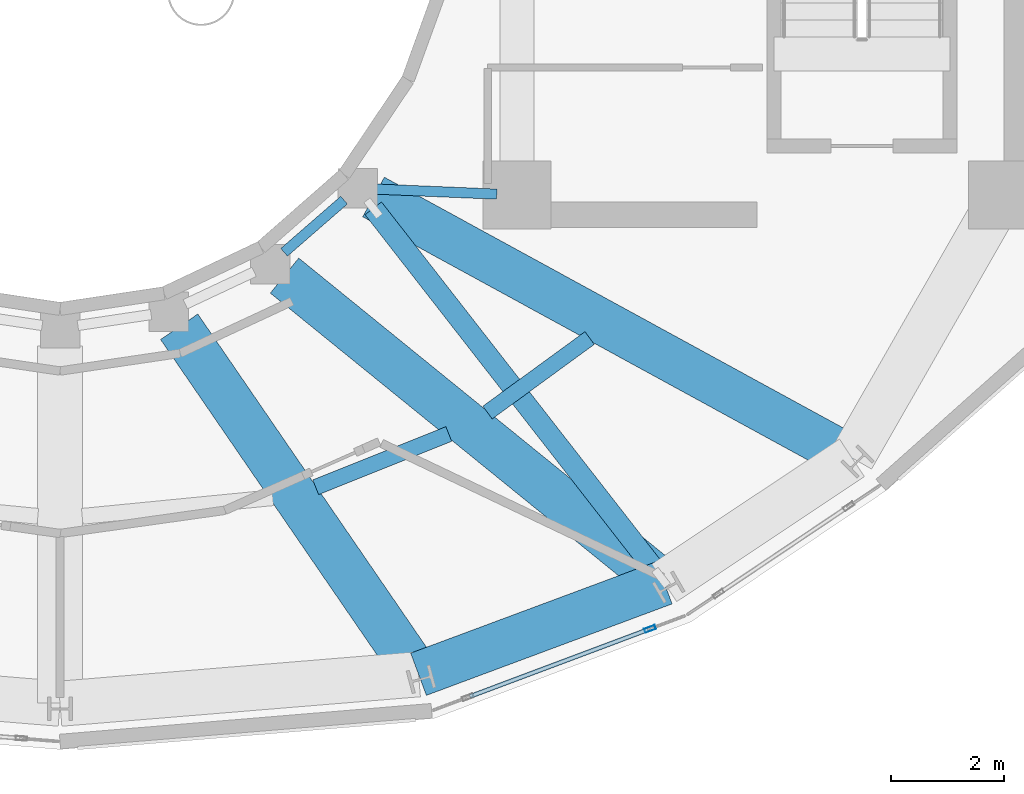
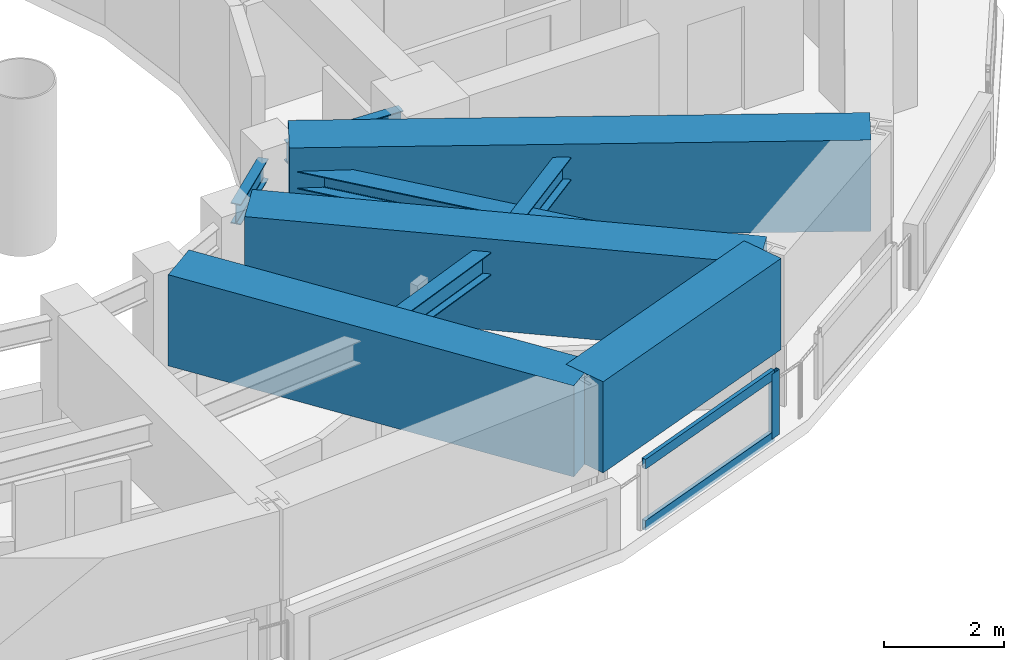
# One storey, part 5 of 17: 8 beams, 4 members, 1 element without a shape of its own.
"""IFC4 building model written with IfcOpenShell, lengths in metres."""

from ifc_helpers import new_model, si_unit, direction, frame, origin, origin_2d, place, context, subcontext, project, spatial, rectangle, hollow_rectangle, i_section, extrude, material, layer, layer_set, material_profile, profile_set, type_object, element, aggregate, save


model = new_model("IFC4")

# Units and contexts
model_context = context("Model", 3, precision=1e-05, world=origin(), true_north=direction((0.0, 1.0)))
body_context = subcontext(model_context, "Body", "Model", "MODEL_VIEW")
ifc_project = project(units=[si_unit("LENGTHUNIT", "METRE"), si_unit("AREAUNIT", "SQUARE_METRE"), si_unit("VOLUMEUNIT", "CUBIC_METRE"), si_unit("PLANEANGLEUNIT", "RADIAN"), si_unit("MASSUNIT", "GRAM", prefix="KILO")], contexts=[model_context])

# Site, building, storey
site_placement = place(None, origin())
site = spatial("IfcSite", under=ifc_project, at=site_placement, CompositionType="ELEMENT")
building_placement = place(site_placement, origin())
building = spatial("IfcBuilding", under=site, at=building_placement, Name="Solvane Sanctuary Tower", CompositionType="ELEMENT")
storey_placement = place(building_placement, frame((0.0, 0.0, 270.0)))
storey = spatial("IfcBuildingStorey", under=building, at=storey_placement, Name="L82", CompositionType="ELEMENT", Elevation=270.0)

# Beams
ifc_material_1 = material(Name="Steel ASTM A992 Grade 50", Category="steel")
ifc_material_profile_1 = material_profile(ifc_material_1, i_section(OverallWidth=0.180908203125, OverallDepth=0.4169921875, WebThickness=0.010986328125, FlangeThickness=0.018310546875, FilletRadius=0.012939453125, at=origin_2d()), Name="W16X57")
ifc_profile_set_1 = profile_set([ifc_material_profile_1], Name="Steel ASTM A992 Grade 50")
beam_type_1 = type_object("IfcBeamType", Name="Beam B-ROOF-BM W16X57", PredefinedType="BEAM", material=ifc_profile_set_1)
beam_1_placement = place(storey_placement, frame((35.971435546875, 15.883544921875, 2.7294921875), z_axis=(0.754388985763, 0.656427648839, 0.0), x_axis=(-0.656427648839, 0.754388985763, 0.0)))
element("IfcBeam", 1, at=beam_1_placement, inside=storey, type_object=beam_type_1, Name="L82 Inner Light-Well Ring Beam IC13-IC14", PredefinedType="BEAM", context=body_context, shape_type="SweptSolid", body=[
    extrude(i_section(OverallWidth=0.180908203125, OverallDepth=0.4169921875, WebThickness=0.010986328125, FlangeThickness=0.018310546875, FilletRadius=0.012939453125, at=origin_2d()), origin(), (0.0, 0.0, 1.0), 1.408203125),
])
beam_2_placement = place(storey_placement, frame((37.5947265625, 17.004638671875, 2.7294921875), z_axis=(0.999129127803, -0.041725124022, 0.0), x_axis=(0.041725124022, 0.999129127803, 0.0)))
element("IfcBeam", 2, at=beam_2_placement, inside=storey, type_object=beam_type_1, Name="L82 Inner Light-Well Ring Beam IC14-CE1", PredefinedType="BEAM", context=body_context, shape_type="SweptSolid", body=[
    extrude(i_section(OverallWidth=0.180908203125, OverallDepth=0.4169921875, WebThickness=0.010986328125, FlangeThickness=0.018310546875, FilletRadius=0.012939453125, at=origin_2d()), origin(), (0.0, 0.0, 1.0), 2.1474609375),
])
ifc_material_profile_2 = material_profile(ifc_material_1, i_section(OverallWidth=0.280029296875, OverallDepth=0.462890625, WebThickness=0.0107421875, FlangeThickness=0.017333984375, FilletRadius=0.013916015625, at=origin_2d()), Name="W18X76")
ifc_profile_set_2 = profile_set([ifc_material_profile_2], Name="Steel ASTM A992 Grade 50")
beam_type_2 = type_object("IfcBeamType", Name="Beam B-SEC-JOIST W18X76", PredefinedType="JOIST", material=ifc_profile_set_2)
beam_3_placement = place(storey_placement, frame((36.531494140625, 11.72021484375, 2.70654296875), z_axis=(0.928403778537, 0.371572905361, 0.0), x_axis=(-0.371572905361, 0.928403778537, 0.0)))
element("IfcBeam", 3, at=beam_3_placement, inside=storey, type_object=beam_type_2, Name="L82 Secondary Circumferential Joist 12-13", PredefinedType="JOIST", context=body_context, shape_type="SweptSolid", body=[
    extrude(i_section(OverallWidth=0.280029296875, OverallDepth=0.462890625, WebThickness=0.0107421875, FlangeThickness=0.017333984375, FilletRadius=0.013916015625, at=origin_2d()), origin(), (0.0, 0.0, 1.0), 2.540771484375),
])
beam_4_placement = place(storey_placement, frame((39.576171875, 13.044189453125, 2.70654296875), z_axis=(0.807740449032, 0.589538265931, 0.0), x_axis=(-0.589538265931, 0.807740449032, 0.0)))
element("IfcBeam", 4, at=beam_4_placement, inside=storey, type_object=beam_type_2, Name="L82 Secondary Circumferential Joist 13-14", PredefinedType="JOIST", context=body_context, shape_type="SweptSolid", body=[
    extrude(i_section(OverallWidth=0.280029296875, OverallDepth=0.462890625, WebThickness=0.0107421875, FlangeThickness=0.017333984375, FilletRadius=0.013916015625, at=origin_2d()), origin(), (0.0, 0.0, 1.0), 2.239990234375),
])
ifc_material_2 = material(Name="Concrete C70/85", Category="concrete")
ifc_material_profile_3 = material_profile(ifc_material_2, rectangle(XDim=0.800048828125, YDim=1.85009765625, at=origin_2d()), Name="RC800X1850")
ifc_profile_set_3 = profile_set([ifc_material_profile_3], Name="Concrete C70/85")
beam_type_3 = type_object("IfcBeamType", Name="Beam B-XFER-BLK RC800X1850", PredefinedType="BEAM", material=ifc_profile_set_3)
beam_5_placement = place(storey_placement, frame((34.11181640625, 14.564453125, 2.27490234375), z_axis=(0.565871663748, -0.824493335429, 0.0), x_axis=(0.824493335429, 0.565871663748, 0.0)))
element("IfcBeam", 5, at=beam_5_placement, inside=storey, type_object=beam_type_3, Name="L82 Block-Shift Radial Transfer Girder 12A", PredefinedType="BEAM", context=body_context, shape_type="SweptSolid", body=[
    extrude(rectangle(XDim=0.800048828125, YDim=1.85009765625, at=origin_2d()), origin(), (0.0, 0.0, 1.0), 7.4755859375),
])
beam_6_placement = place(storey_placement, frame((35.978515625, 15.4716796875, 2.27490234375), z_axis=(0.776498254758, -0.630119401667, 0.0), x_axis=(0.630119401667, 0.776498254758, 0.0)))
element("IfcBeam", 6, at=beam_6_placement, inside=storey, type_object=beam_type_3, Name="L82 Block-Shift Radial Transfer Girder 13A", PredefinedType="BEAM", context=body_context, shape_type="SweptSolid", body=[
    extrude(rectangle(XDim=0.800048828125, YDim=1.85009765625, at=origin_2d()), origin(), (0.0, 0.0, 1.0), 8.66455078125),
])
beam_7_placement = place(storey_placement, frame((37.555908203125, 16.864501953125, 2.27490234375), z_axis=(0.877537561856, -0.479507901428, 0.0), x_axis=(0.479507901428, 0.877537561856, 0.0)))
element("IfcBeam", 7, at=beam_7_placement, inside=storey, type_object=beam_type_3, Name="L82 Block-Shift Radial Transfer Girder 14A", PredefinedType="BEAM", context=body_context, shape_type="SweptSolid", body=[
    extrude(rectangle(XDim=0.800048828125, YDim=1.85009765625, at=origin_2d()), origin(), (0.0, 0.0, 1.0), 9.67529296875),
])
beam_8_placement = place(storey_placement, frame((38.353515625, 8.40625, 2.27490234375), z_axis=(0.937181506682, 0.348842118348, 0.0), x_axis=(-0.348842118348, 0.937181506682, 0.0)))
element("IfcBeam", 8, at=beam_8_placement, inside=storey, type_object=beam_type_3, Name="L82 Perimeter Step Transfer Ring NTC12-NTC13", PredefinedType="BEAM", context=body_context, shape_type="SweptSolid", body=[
    extrude(rectangle(XDim=0.800048828125, YDim=1.85009765625, at=origin_2d()), origin(), (0.0, 0.0, 1.0), 4.646484375),
])

# Member
ifc_material_profile_4 = material_profile(ifc_material_1, i_section(OverallWidth=0.368896484375, OverallDepth=0.35595703125, WebThickness=0.01123046875, FlangeThickness=0.01806640625, FilletRadius=0.02490234375, at=origin_2d()), Name="W14X90")
ifc_profile_set_4 = profile_set([ifc_material_profile_4], Name="Steel ASTM A992 Grade 50")
member_type_1 = type_object("IfcMemberType", Name="Member M-CROWN-TIE W14X90", PredefinedType="CHORD", material=ifc_profile_set_4)
member_1_placement = place(storey_placement, frame((37.5537109375, 16.66015625, 2.54052734375), z_axis=(0.614546206498, -0.788532701367, 0.02343371403), x_axis=(0.788749297589, 0.614715011654, 0.0)))
element("IfcMember", 9, at=member_1_placement, inside=storey, type_object=member_type_1, Name="L82 Crown Bracing Tie 14", PredefinedType="CHORD", context=body_context, shape_type="SweptSolid", body=[
    extrude(i_section(OverallWidth=0.368896484375, OverallDepth=0.35595703125, WebThickness=0.01123046875, FlangeThickness=0.01806640625, FilletRadius=0.02490234375, at=origin_2d()), origin(), (0.0, 0.0, 1.0), 8.29296875),
])

# Curtain wall, members
ifc_material_3 = material(Name="Anodised Aluminium 6063-T6", Category="aluminium")
ifc_layer = layer(ifc_material_3, 0.219970703125, Name="Anodised Aluminium 6063-T6")
ifc_layer_set = layer_set([ifc_layer], Name="Anodised Aluminium 6063-T6")
curtain_wall_type = type_object("IfcCurtainWallType", Name="Curtain Wall CW-CROWN", PredefinedType="NOTDEFINED", material=ifc_layer_set)
curtain_wall_placement = place(storey_placement, origin())
curtain_wall = element("IfcCurtainWall", 10, at=curtain_wall_placement, inside=storey, type_object=curtain_wall_type, Name="L82 Crown Fritted Lantern Curtain Wall 19", PredefinedType="NOTDEFINED")
ifc_material_profile_5 = material_profile(ifc_material_3, hollow_rectangle(XDim=0.074951171875, YDim=0.199951171875, WallThickness=0.00390625, at=origin_2d()), Name="ALU200X75X4")
ifc_profile_set_5 = profile_set([ifc_material_profile_5], Name="Anodised Aluminium 6063-T6")
member_type_2 = type_object("IfcMemberType", Name="Member M-CW-MUL-1 ALU200X75X4", PredefinedType="MULLION", material=ifc_profile_set_5)
member_2_placement = place(storey_placement, frame((42.455322265625, 9.209716796875, 0.0), z_axis=(0.0, 0.0, 1.0), x_axis=(-0.351170134187, 0.936311666517, 0.0)))
member_2 = element("IfcMember", 11, at=member_2_placement, type_object=member_type_2, Name="CW-CROWN mullion 2", PredefinedType="MULLION", context=body_context, shape_type="SweptSolid", body=[
    extrude(hollow_rectangle(XDim=0.074951171875, YDim=0.199951171875, WallThickness=0.00390625, at=origin_2d()), origin(), (0.0, 0.0, 1.0), 1.320068359375),
])
ifc_material_profile_6 = material_profile(ifc_material_3, hollow_rectangle(XDim=0.074951171875, YDim=0.199951171875, WallThickness=0.00390625, at=origin_2d()), Name="ALU200X75X4")
ifc_profile_set_6 = profile_set([ifc_material_profile_6], Name="Anodised Aluminium 6063-T6")
member_type_3 = type_object("IfcMemberType", Name="Member M-CW-TRN-2 ALU200X75X4", PredefinedType="USERDEFINED", material=ifc_profile_set_6)
member_3_placement = place(storey_placement, frame((39.264404296875, 8.012939453125, 0.03759765625), z_axis=(0.936287496368, 0.351234571398, 0.0), x_axis=(-0.351234571398, 0.936287496368, 0.0)))
member_3 = element("IfcMember", 12, at=member_3_placement, type_object=member_type_3, Name="CW-CROWN transom 1.1", ObjectType="TRANSOM", PredefinedType="USERDEFINED", context=body_context, shape_type="SweptSolid", body=[
    extrude(hollow_rectangle(XDim=0.074951171875, YDim=0.199951171875, WallThickness=0.00390625, at=origin_2d()), origin(), (0.0, 0.0, 1.0), 3.37060546875),
])
member_4_placement = place(storey_placement, frame((39.264404296875, 8.012939453125, 1.282470703125), z_axis=(0.936287496368, 0.351234571398, 0.0), x_axis=(-0.351234571398, 0.936287496368, 0.0)))
member_4 = element("IfcMember", 13, at=member_4_placement, type_object=member_type_3, Name="CW-CROWN transom 1.2", ObjectType="TRANSOM", PredefinedType="USERDEFINED", context=body_context, shape_type="SweptSolid", body=[
    extrude(hollow_rectangle(XDim=0.074951171875, YDim=0.199951171875, WallThickness=0.00390625, at=origin_2d()), origin(), (0.0, 0.0, 1.0), 3.37060546875),
])
aggregate(curtain_wall, [member_2, member_3, member_4])

save(model, "model.ifc")
